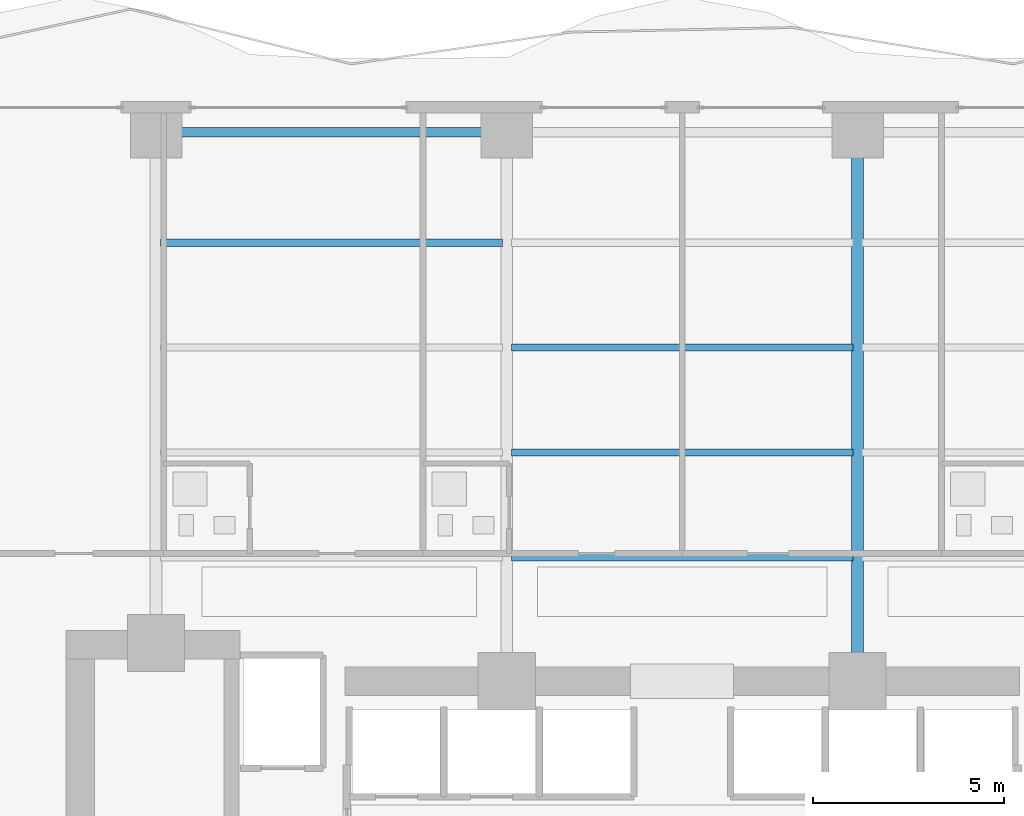
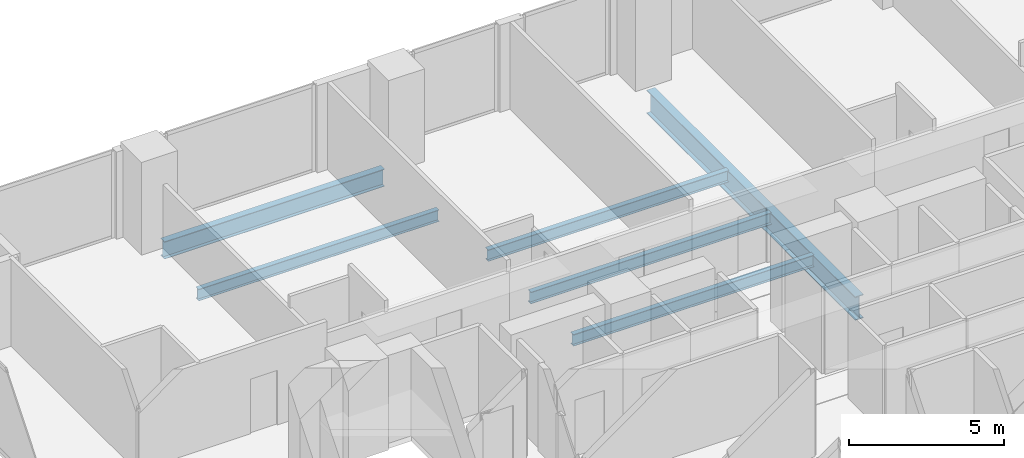
# One storey, part 16 of 30: 6 beams.
"""IFC4 building model written with IfcOpenShell, lengths in metres."""

from ifc_helpers import new_model, si_unit, direction, frame, origin, origin_2d, place, context, subcontext, project, spatial, i_section, extrude, material, material_profile, profile_set, type_object, element, save


model = new_model("IFC4")

# Units and contexts
model_context = context("Model", 3, precision=1e-05, world=origin(), true_north=direction((0.0, 1.0)))
body_context = subcontext(model_context, "Body", "Model", "MODEL_VIEW")
ifc_project = project(units=[si_unit("LENGTHUNIT", "METRE"), si_unit("AREAUNIT", "SQUARE_METRE"), si_unit("VOLUMEUNIT", "CUBIC_METRE"), si_unit("PLANEANGLEUNIT", "RADIAN"), si_unit("MASSUNIT", "GRAM", prefix="KILO")], contexts=[model_context])

# Site, building, storey
site_placement = place(None, origin())
site = spatial("IfcSite", under=ifc_project, at=site_placement, CompositionType="ELEMENT")
building_placement = place(site_placement, origin())
building = spatial("IfcBuilding", under=site, at=building_placement, Name="Zuhayl Quay Hotel", CompositionType="ELEMENT")
storey_placement = place(building_placement, frame((0.0, 0.0, 135.800048828125)))
storey = spatial("IfcBuildingStorey", under=building, at=storey_placement, Name="L34", CompositionType="ELEMENT", Elevation=135.800048828125)

# Beams
ifc_material = material(Name="Steel ASTM A992 Grade 50", Category="steel")
ifc_material_profile_1 = material_profile(ifc_material, i_section(OverallWidth=0.25390625, OverallDepth=0.68310546875, WebThickness=0.012451171875, FlangeThickness=0.018798828125, at=origin_2d()), Name="W27X94")
ifc_profile_set_1 = profile_set([ifc_material_profile_1], Name="Steel ASTM A992 Grade 50")
beam_type_1 = type_object("IfcBeamType", Name="BM_B2_W27X94", PredefinedType="BEAM", material=ifc_profile_set_1)
beam_1_placement = place(storey_placement, frame((-5.10009765625, 27.75, -0.5615234375), z_axis=(-1.0, 0.0, 0.0), x_axis=(0.0, -1.0, 0.0)))
element("IfcBeam", 1, at=beam_1_placement, inside=storey, type_object=beam_type_1, Name="L34 Floor Beam RG_L34_09", PredefinedType="BEAM", context=body_context, shape_type="SweptSolid", body=[
    extrude(i_section(OverallWidth=0.25390625, OverallDepth=0.68310546875, WebThickness=0.012451171875, FlangeThickness=0.018798828125, at=origin_2d()), origin(), (0.0, 0.0, 1.0), 8.199951171875),
])
ifc_material_profile_2 = material_profile(ifc_material, i_section(OverallWidth=0.18994140625, OverallDepth=0.45703125, WebThickness=0.009033203125, FlangeThickness=0.014404296875, at=origin_2d()), Name="W18X50")
ifc_profile_set_2 = profile_set([ifc_material_profile_2], Name="Steel ASTM A992 Grade 50")
beam_type_2 = type_object("IfcBeamType", Name="BM_J2_W18X50", PredefinedType="JOIST", material=ifc_profile_set_2)
for number, where, z_axis, x_axis, name in (
    (2, (-4.48095703125, 16.60009765625, -0.448486328125), (1.0, 0.0, 0.0), (0.0, 1.0, 0.0), "L34 Floor Beam FJ_L34_1_2"),
    (3, (-4.48095703125, 19.35009765625, -0.448486328125), (1.0, 0.0, 0.0), (0.0, 1.0, 0.0), "L34 Floor Beam FJ_L34_2_2"),
    (4, (-4.48095703125, 22.10009765625, -0.448486328125), (1.0, 0.0, 0.0), (0.0, 1.0, 0.0), "L34 Floor Beam FJ_L34_3_2"),
    (5, (-13.680908203125, 24.85009765625, -0.448486328125), (1.0, 0.0, 0.0), (0.0, 1.0, 0.0), "L34 Floor Beam FJ_L34_4_1"),
):
    element("IfcBeam", number, at=place(storey_placement, frame(where, z_axis=z_axis, x_axis=x_axis)), inside=storey, type_object=beam_type_2, Name=name, PredefinedType="JOIST", context=body_context, shape_type="SweptSolid", body=[
        extrude(i_section(OverallWidth=0.18994140625, OverallDepth=0.45703125, WebThickness=0.009033203125, FlangeThickness=0.014404296875, at=origin_2d()), origin(), (0.0, 0.0, 1.0), 8.9619140625),
    ])
ifc_material_profile_3 = material_profile(ifc_material, i_section(OverallWidth=0.306884765625, OverallDepth=0.927001953125, WebThickness=0.019287109375, FlangeThickness=0.031982421875, at=origin_2d()), Name="W36X194")
ifc_profile_set_3 = profile_set([ifc_material_profile_3], Name="Steel ASTM A992 Grade 50")
beam_type_3 = type_object("IfcBeamType", Name="BM_PG2_W36X194", PredefinedType="BEAM", material=ifc_profile_set_3)
beam_2_placement = place(storey_placement, frame((4.60009765625, 13.800048828125, -0.68359375), z_axis=(0.0, 1.0, 0.0), x_axis=(-1.0, 0.0, 0.0)))
element("IfcBeam", 6, at=beam_2_placement, inside=storey, type_object=beam_type_3, Name="L34 Floor Beam FG_N_L34_3", PredefinedType="BEAM", context=body_context, shape_type="SweptSolid", body=[
    extrude(i_section(OverallWidth=0.306884765625, OverallDepth=0.927001953125, WebThickness=0.019287109375, FlangeThickness=0.031982421875, at=origin_2d()), origin(), (0.0, 0.0, 1.0), 13.449951171875),
])

save(model, "model.ifc")
